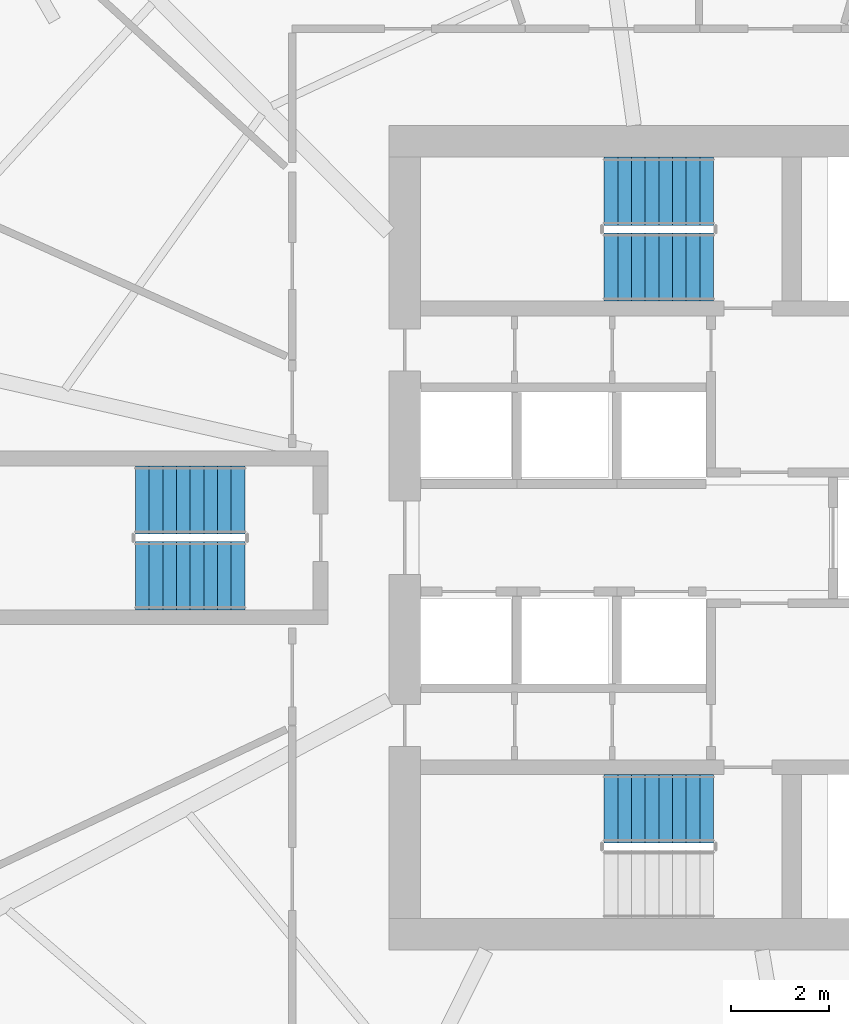
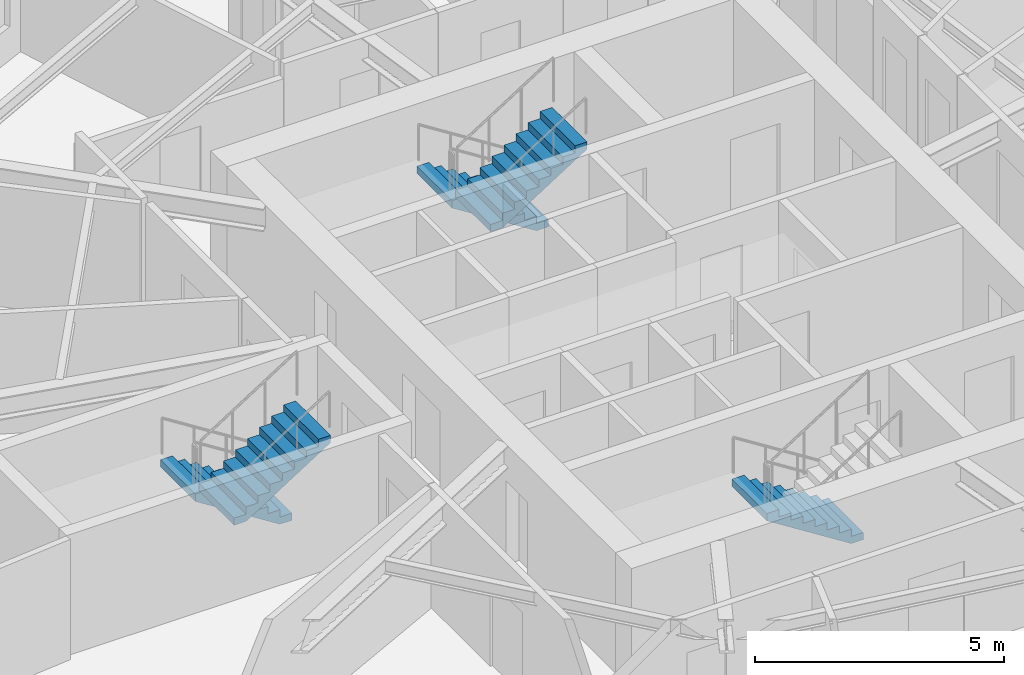
# One storey, part 9 of 13: 5 stair flights, 3 elements without a shape of their own.
"""IFC4 building model written with IfcOpenShell, lengths in metres."""

from ifc_helpers import new_model, si_unit, direction, frame, origin, place, context, subcontext, project, spatial, polyline, outline, extrude, source, transform, mapped, material, type_object, element, aggregate, save


model = new_model("IFC4")

# Units and contexts
model_context = context("Model", 3, precision=1e-05, world=origin(), true_north=direction((0.0, 1.0)))
body_context = subcontext(model_context, "Body", "Model", "MODEL_VIEW")
ifc_project = project(units=[si_unit("LENGTHUNIT", "METRE"), si_unit("AREAUNIT", "SQUARE_METRE"), si_unit("VOLUMEUNIT", "CUBIC_METRE"), si_unit("PLANEANGLEUNIT", "RADIAN"), si_unit("MASSUNIT", "GRAM", prefix="KILO")], contexts=[model_context])

# Site, building, storey
site_placement = place(None, origin())
site = spatial("IfcSite", under=ifc_project, at=site_placement, CompositionType="ELEMENT")
building_placement = place(site_placement, origin())
building = spatial("IfcBuilding", under=site, at=building_placement, Name="Qafzar Sky-Pleat Residences", CompositionType="ELEMENT")
storey_placement = place(building_placement, frame((0.0, 0.0, 89.60009765625)))
storey = spatial("IfcBuildingStorey", under=building, at=storey_placement, Name="L26", CompositionType="ELEMENT", Elevation=89.60009765625)

# Stair, stair flight
ifc_material = material(Name="Concrete C40/50", Category="concrete")
stair_type = type_object("IfcStairType", Name="STAIR-H320", PredefinedType="HALF_TURN_STAIR", material=ifc_material)
stair_1_placement = place(storey_placement, origin())
stair_1 = element("IfcStair", 1, at=stair_1_placement, inside=storey, type_object=stair_type, Name="L26 Protected Exit Stair ST1", PredefinedType="HALF_TURN_STAIR")
stair_flight_type = type_object("IfcStairFlightType", Name="FLIGHT-H320", PredefinedType="STRAIGHT", material=ifc_material)
shared_shape = source(origin(), body_context, "Body", "SweptSolid", [
    extrude(outline(polyline([(0.0, 0.0), (0.0, 0.177734375), (0.280029296875, 0.177734375), (0.280029296875, 0.35546875), (0.56005859375, 0.35546875), (0.56005859375, 0.533447265625), (0.840087890625, 0.533447265625), (0.840087890625, 0.711181640625), (1.1201171875, 0.711181640625), (1.1201171875, 0.888916015625), (1.39990234375, 0.888916015625), (1.39990234375, 1.066650390625), (1.679931640625, 1.066650390625), (1.679931640625, 1.244384765625), (1.9599609375, 1.244384765625), (1.9599609375, 1.422119140625), (2.239990234375, 1.422119140625), (2.239990234375, 1.60009765625), (2.239990234375, 1.24462890625), (0.27978515625, 0.0), (0.0, 0.0)])), frame((0.0, 0.699951171875, 0.0), z_axis=(0.0, -1.0, 0.0), x_axis=(1.0, 0.0, 0.0)), (0.0, 0.0, 1.0), 1.39990234375),
])
stair_flight_1_placement = place(storey_placement, frame((30.800048828125, 20.449951171875, 0.0), z_axis=(0.0, 0.0, 1.0), x_axis=(-1.0, 0.0, 0.0)))
stair_flight_1 = element("IfcStairFlight", 2, at=stair_flight_1_placement, type_object=stair_flight_type, Name="ST1 flight 1", NumberOfRisers=9, NumberOfTreads=8, PredefinedType="STRAIGHT", RiserHeight=0.177777778, TreadLength=0.28, context=body_context, shape_type="MappedRepresentation", body=[
    mapped(shared_shape, transform((0.0, 0.0, 0.0), x_axis=(1.0, 0.0, 0.0), y_axis=(0.0, 1.0, 0.0), z_axis=(0.0, 0.0, 1.0), scale=1.0)),
])
aggregate(stair_1, [stair_flight_1])

# Stair, stair flights
stair_2_placement = place(storey_placement, origin())
stair_2 = element("IfcStair", 3, at=stair_2_placement, inside=storey, type_object=stair_type, Name="L26 Protected Exit Stair ST2", PredefinedType="HALF_TURN_STAIR")
stair_flight_2_placement = place(storey_placement, frame((30.800048828125, 33.10009765625, 0.0), z_axis=(0.0, 0.0, 1.0), x_axis=(-1.0, 0.0, 0.0)))
stair_flight_2 = element("IfcStairFlight", 4, at=stair_flight_2_placement, type_object=stair_flight_type, Name="ST2 flight 1", NumberOfRisers=9, NumberOfTreads=8, PredefinedType="STRAIGHT", RiserHeight=0.177777778, TreadLength=0.28, context=body_context, shape_type="MappedRepresentation", body=[
    mapped(shared_shape, transform((0.0, 0.0, 0.0), x_axis=(1.0, 0.0, 0.0), y_axis=(0.0, 1.0, 0.0), z_axis=(0.0, 0.0, 1.0), scale=1.0)),
])
stair_flight_3_placement = place(storey_placement, frame((28.56005859375, 31.550048828125, 1.599853515625), z_axis=(0.0, 0.0, 1.0), x_axis=(1.0, 0.0, 0.0)))
stair_flight_3 = element("IfcStairFlight", 5, at=stair_flight_3_placement, type_object=stair_flight_type, Name="ST2 flight 2", NumberOfRisers=9, NumberOfTreads=8, PredefinedType="STRAIGHT", RiserHeight=0.177777778, TreadLength=0.28, context=body_context, shape_type="MappedRepresentation", body=[
    mapped(shared_shape, transform((0.0, 0.0, 0.0), x_axis=(1.0, 0.0, 0.0), y_axis=(0.0, 1.0, 0.0), z_axis=(0.0, 0.0, 1.0), scale=1.0)),
])
aggregate(stair_2, [stair_flight_2, stair_flight_3])

stair_3_placement = place(storey_placement, origin())
stair_3 = element("IfcStair", 6, at=stair_3_placement, inside=storey, type_object=stair_type, Name="L26 Protected Exit Stair ST3", PredefinedType="HALF_TURN_STAIR")
stair_flight_4_placement = place(storey_placement, frame((21.199951171875, 26.77490234375, 0.0), z_axis=(0.0, 0.0, 1.0), x_axis=(-1.0, 0.0, 0.0)))
stair_flight_4 = element("IfcStairFlight", 7, at=stair_flight_4_placement, type_object=stair_flight_type, Name="ST3 flight 1", NumberOfRisers=9, NumberOfTreads=8, PredefinedType="STRAIGHT", RiserHeight=0.177777778, TreadLength=0.28, context=body_context, shape_type="MappedRepresentation", body=[
    mapped(shared_shape, transform((0.0, 0.0, 0.0), x_axis=(1.0, 0.0, 0.0), y_axis=(0.0, 1.0, 0.0), z_axis=(0.0, 0.0, 1.0), scale=1.0)),
])
stair_flight_5_placement = place(storey_placement, frame((18.9599609375, 25.22509765625, 1.599853515625), z_axis=(0.0, 0.0, 1.0), x_axis=(1.0, 0.0, 0.0)))
stair_flight_5 = element("IfcStairFlight", 8, at=stair_flight_5_placement, type_object=stair_flight_type, Name="ST3 flight 2", NumberOfRisers=9, NumberOfTreads=8, PredefinedType="STRAIGHT", RiserHeight=0.177777778, TreadLength=0.28, context=body_context, shape_type="MappedRepresentation", body=[
    mapped(shared_shape, transform((0.0, 0.0, 0.0), x_axis=(1.0, 0.0, 0.0), y_axis=(0.0, 1.0, 0.0), z_axis=(0.0, 0.0, 1.0), scale=1.0)),
])
aggregate(stair_3, [stair_flight_4, stair_flight_5])

save(model, "model.ifc")
